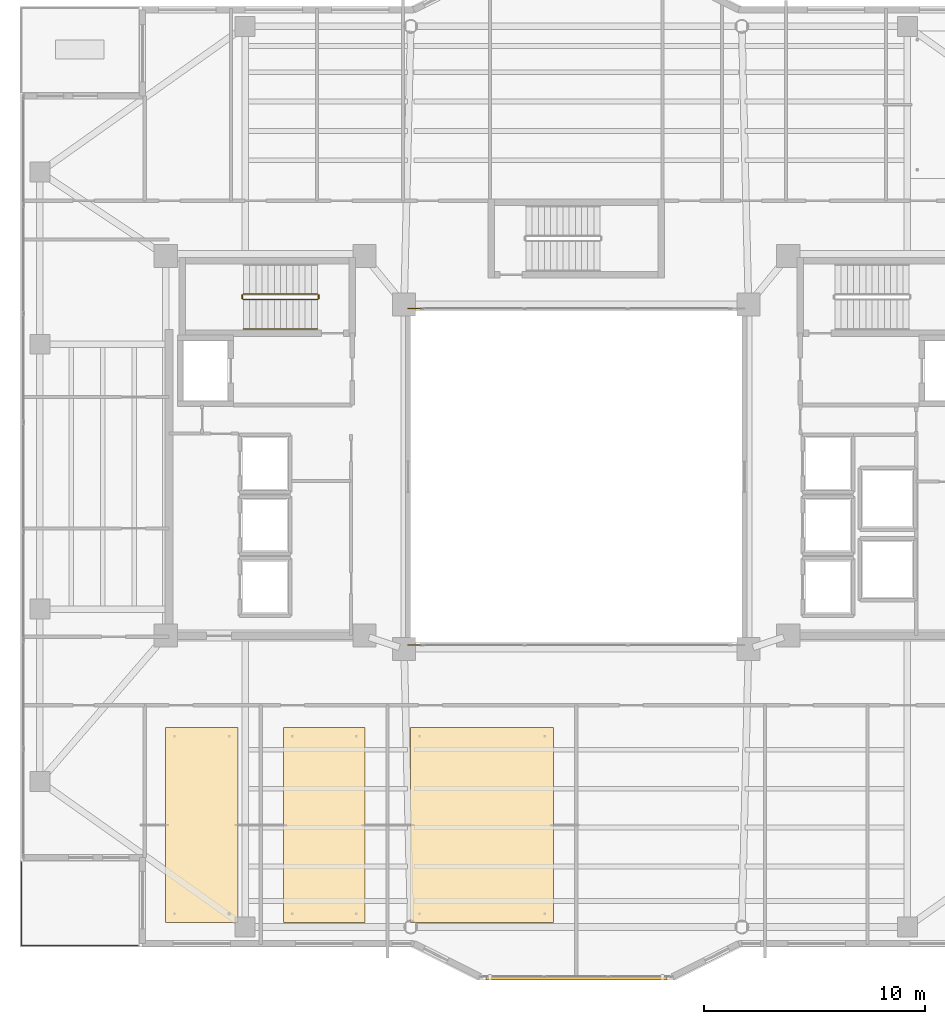
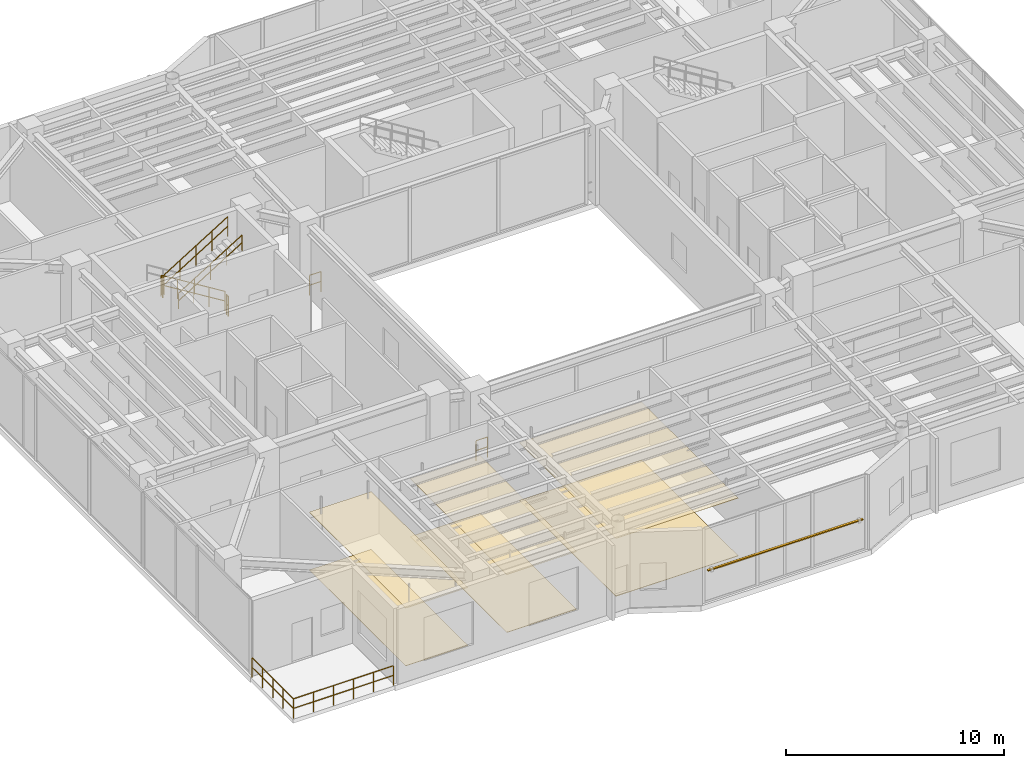
# One storey, part 30 of 33: 9 railings, 6 coverings, 1 shading device.
"""IFC4 building model written with IfcOpenShell, lengths in metres."""

from ifc_helpers import new_model, si_unit, direction, frame, origin, origin_2d, place, context, subcontext, project, spatial, polyline, rectangle, circle, outline, extrude, material, layer, layer_set, material_profile, profile_set, type_object, element, save


model = new_model("IFC4")

# Units and contexts
model_context = context("Model", 3, precision=1e-05, world=origin(), true_north=direction((0.0, 1.0)))
body_context = subcontext(model_context, "Body", "Model", "MODEL_VIEW")
ifc_project = project(units=[si_unit("LENGTHUNIT", "METRE"), si_unit("AREAUNIT", "SQUARE_METRE"), si_unit("VOLUMEUNIT", "CUBIC_METRE"), si_unit("PLANEANGLEUNIT", "RADIAN"), si_unit("MASSUNIT", "GRAM", prefix="KILO")], contexts=[model_context])

# Site, building, storey
site_placement = place(None, origin())
site = spatial("IfcSite", under=ifc_project, at=site_placement, CompositionType="ELEMENT")
building_placement = place(site_placement, origin())
building = spatial("IfcBuilding", under=site, at=building_placement, Name="Tarnavaz Court Tower", CompositionType="ELEMENT")
storey_placement = place(building_placement, frame((0.0, 0.0, 177.300048828125)))
storey = spatial("IfcBuildingStorey", under=building, at=storey_placement, Name="L48", CompositionType="ELEMENT", Elevation=177.300048828125)

# Coverings
ifc_material_1 = material(Name="Perforated Gypsum Acoustic Ceiling Tile", Category="masonry")
ifc_layer_1 = layer(ifc_material_1, 0.02490234375)
ifc_layer_set_1 = layer_set([ifc_layer_1], Name="Perforated Gypsum Acoustic Ceiling Tile")
covering_type_1 = type_object("IfcCoveringType", Name="CV-CEIL-AC", PredefinedType="CEILING", material=ifc_layer_set_1)
covering_1_placement = place(storey_placement, frame((0.0, 0.0, 3.22998046875)))
element("IfcCovering", 1, at=covering_1_placement, inside=storey, type_object=covering_type_1, Name="L48 Children Playroom Studio Suspended Acoustic Ceiling", PredefinedType="CEILING", context=body_context, shape_type="SweptSolid", body=[
    extrude(outline(polyline([(-18.60009765625, -20.199951171875), (-15.323974609375, -20.199951171875), (-15.323974609375, -11.360107421875), (-18.60009765625, -11.360107421875), (-18.60009765625, -20.199951171875)])), origin(), (0.0, 0.0, 1.0), 0.02490234375),
])
covering_2_placement = place(storey_placement, frame((0.0, 0.0, 3.22998046875)))
element("IfcCovering", 2, at=covering_2_placement, inside=storey, type_object=covering_type_1, Name="L48 L48 South-West Study Room Suspended Acoustic Ceiling", PredefinedType="CEILING", context=body_context, shape_type="SweptSolid", body=[
    extrude(outline(polyline([(-13.263916015625, -20.199951171875), (-9.570068359375, -20.199951171875), (-9.570068359375, -11.360107421875), (-13.263916015625, -11.360107421875), (-13.263916015625, -20.199951171875)])), origin(), (0.0, 0.0, 1.0), 0.02490234375),
])
covering_3_placement = place(storey_placement, frame((0.0, 0.0, 3.22998046875)))
element("IfcCovering", 3, at=covering_3_placement, inside=storey, type_object=covering_type_1, Name="L48 L48 South-West Cultural Classroom Suspended Acoustic Ceiling", PredefinedType="CEILING", context=body_context, shape_type="SweptSolid", body=[
    extrude(outline(polyline([(-7.5, -20.199951171875), (-1.030029296875, -20.199951171875), (-1.030029296875, -11.360107421875), (-7.5, -11.360107421875), (-7.5, -20.199951171875)])), origin(), (0.0, 0.0, 1.0), 0.02490234375),
])
ifc_material_2 = material(Name="Glazed Khorasan Porcelain Floor Tile", Category="masonry")
ifc_layer_2 = layer(ifc_material_2, 0.02001953125)
ifc_layer_set_2 = layer_set([ifc_layer_2], Name="Glazed Khorasan Porcelain Floor Tile")
covering_type_2 = type_object("IfcCoveringType", Name="CV-FLR-PORC", PredefinedType="FLOORING", material=ifc_layer_set_2)
covering_4_placement = place(storey_placement, origin())
element("IfcCovering", 4, at=covering_4_placement, inside=storey, type_object=covering_type_2, Name="L48 Children Playroom Studio Porcelain Floor Finish", PredefinedType="FLOORING", context=body_context, shape_type="SweptSolid", body=[
    extrude(outline(polyline([(-18.60009765625, -20.199951171875), (-15.323974609375, -20.199951171875), (-15.323974609375, -11.360107421875), (-18.60009765625, -11.360107421875), (-18.60009765625, -20.199951171875)])), origin(), (0.0, 0.0, 1.0), 0.02001953125),
])
covering_5_placement = place(storey_placement, origin())
element("IfcCovering", 5, at=covering_5_placement, inside=storey, type_object=covering_type_2, Name="L48 L48 South-West Study Room Porcelain Floor Finish", PredefinedType="FLOORING", context=body_context, shape_type="SweptSolid", body=[
    extrude(outline(polyline([(-13.263916015625, -20.199951171875), (-9.570068359375, -20.199951171875), (-9.570068359375, -11.360107421875), (-13.263916015625, -11.360107421875), (-13.263916015625, -20.199951171875)])), origin(), (0.0, 0.0, 1.0), 0.02001953125),
])
covering_6_placement = place(storey_placement, origin())
element("IfcCovering", 6, at=covering_6_placement, inside=storey, type_object=covering_type_2, Name="L48 L48 South-West Cultural Classroom Porcelain Floor Finish", PredefinedType="FLOORING", context=body_context, shape_type="SweptSolid", body=[
    extrude(outline(polyline([(-7.5, -20.199951171875), (-1.030029296875, -20.199951171875), (-1.030029296875, -11.360107421875), (-7.5, -11.360107421875), (-7.5, -20.199951171875)])), origin(), (0.0, 0.0, 1.0), 0.02001953125),
])

# Railings
ifc_material_3 = material(Name="Anodised Aluminium 6063-T6 and Laminated Safety Glass", Category="aluminium")
railing_type_1 = type_object("IfcRailingType", Name="RL-BAL-1120", PredefinedType="BALUSTRADE", material=ifc_material_3)
railing_1_placement = place(storey_placement, frame((-7.6201171875, -7.6201171875, 0.0)))
element("IfcRailing", 7, at=railing_1_placement, inside=storey, type_object=railing_type_1, Name="L48 Courtyard Corner Balustrade S-A", PredefinedType="BALUSTRADE", context=body_context, shape_type="SweptSolid", body=[
    extrude(circle(Radius=0.02392578125, at=origin_2d()), frame((0.0, 0.0, 1.1259765625), z_axis=(1.0, 0.0, 0.0), x_axis=(0.0, 1.0, 0.0)), (0.0, 0.0, 1.0), 0.60009765625),
    extrude(circle(Radius=0.02392578125, at=origin_2d()), frame((0.0, 0.0, 0.574951171875), z_axis=(1.0, 0.0, 0.0), x_axis=(0.0, 1.0, 0.0)), (0.0, 0.0, 1.0), 0.60009765625),
    extrude(circle(Radius=0.02099609375, at=origin_2d()), origin(), (0.0, 0.0, 1.0), 1.101806640625),
    extrude(circle(Radius=0.02099609375, at=origin_2d()), frame((0.60009765625, 0.0, 0.0)), (0.0, 0.0, 1.0), 1.101806640625),
])
railing_2_placement = place(storey_placement, frame((-7.02001953125, 7.6201171875, 0.0)))
element("IfcRailing", 8, at=railing_2_placement, inside=storey, type_object=railing_type_1, Name="L48 Courtyard Corner Balustrade N-B", PredefinedType="BALUSTRADE", context=body_context, shape_type="SweptSolid", body=[
    extrude(circle(Radius=0.02392578125, at=origin_2d()), frame((0.0, 0.0, 1.1259765625), z_axis=(-1.0, 0.0, 0.0), x_axis=(0.0, -1.0, 0.0)), (0.0, 0.0, 1.0), 0.60009765625),
    extrude(circle(Radius=0.02392578125, at=origin_2d()), frame((0.0, 0.0, 0.574951171875), z_axis=(-1.0, 0.0, 0.0), x_axis=(0.0, -1.0, 0.0)), (0.0, 0.0, 1.0), 0.60009765625),
    extrude(circle(Radius=0.02099609375, at=origin_2d()), origin(), (0.0, 0.0, 1.0), 1.101806640625),
    extrude(circle(Radius=0.02099609375, at=origin_2d()), frame((-0.60009765625, 0.0, 0.0)), (0.0, 0.0, 1.0), 1.101806640625),
])
railing_3_placement = place(storey_placement, frame((-25.139892578125, -21.239990234375, 0.0)))
element("IfcRailing", 9, at=railing_3_placement, inside=storey, type_object=railing_type_1, Name="L48 Terrace 4 S Perimeter Balustrade", PredefinedType="BALUSTRADE", context=body_context, shape_type="SweptSolid", body=[
    extrude(circle(Radius=0.02392578125, at=origin_2d()), frame((0.0, 0.0, 1.09619140625), z_axis=(1.0, 0.0, 0.0), x_axis=(0.0, 1.0, 0.0)), (0.0, 0.0, 1.0), 5.27978515625),
    extrude(circle(Radius=0.02392578125, at=origin_2d()), frame((0.0, 0.0, 0.56005859375), z_axis=(1.0, 0.0, 0.0), x_axis=(0.0, 1.0, 0.0)), (0.0, 0.0, 1.0), 5.27978515625),
    extrude(circle(Radius=0.02099609375, at=origin_2d()), origin(), (0.0, 0.0, 1.0), 1.072021484375),
    extrude(circle(Radius=0.02099609375, at=origin_2d()), frame((1.055908203125, 0.0, 0.0)), (0.0, 0.0, 1.0), 1.072021484375),
    extrude(circle(Radius=0.02099609375, at=origin_2d()), frame((2.11181640625, 0.0, 0.0)), (0.0, 0.0, 1.0), 1.072021484375),
    extrude(circle(Radius=0.02099609375, at=origin_2d()), frame((3.16796875, 0.0, 0.0)), (0.0, 0.0, 1.0), 1.072021484375),
    extrude(circle(Radius=0.02099609375, at=origin_2d()), frame((4.223876953125, 0.0, 0.0)), (0.0, 0.0, 1.0), 1.072021484375),
    extrude(circle(Radius=0.02099609375, at=origin_2d()), frame((5.27978515625, 0.0, 0.0)), (0.0, 0.0, 1.0), 1.072021484375),
])
railing_4_placement = place(storey_placement, frame((-25.139892578125, -17.4599609375, 0.0)))
element("IfcRailing", 10, at=railing_4_placement, inside=storey, type_object=railing_type_1, Name="L48 Terrace 4 W Perimeter Balustrade", PredefinedType="BALUSTRADE", context=body_context, shape_type="SweptSolid", body=[
    extrude(circle(Radius=0.02392578125, at=origin_2d()), frame((0.0, 0.0, 1.09619140625), z_axis=(0.0, -1.0, 0.0), x_axis=(1.0, 0.0, 0.0)), (0.0, 0.0, 1.0), 3.780029296875),
    extrude(circle(Radius=0.02392578125, at=origin_2d()), frame((0.0, 0.0, 0.56005859375), z_axis=(0.0, -1.0, 0.0), x_axis=(1.0, 0.0, 0.0)), (0.0, 0.0, 1.0), 3.780029296875),
    extrude(circle(Radius=0.02099609375, at=origin_2d()), origin(), (0.0, 0.0, 1.0), 1.072021484375),
    extrude(circle(Radius=0.02099609375, at=origin_2d()), frame((0.0, -0.945068359375, 0.0)), (0.0, 0.0, 1.0), 1.072021484375),
    extrude(circle(Radius=0.02099609375, at=origin_2d()), frame((0.0, -1.89013671875, 0.0)), (0.0, 0.0, 1.0), 1.072021484375),
    extrude(circle(Radius=0.02099609375, at=origin_2d()), frame((0.0, -2.8349609375, 0.0)), (0.0, 0.0, 1.0), 1.072021484375),
    extrude(circle(Radius=0.02099609375, at=origin_2d()), frame((0.0, -3.780029296875, 0.0)), (0.0, 0.0, 1.0), 1.072021484375),
])
ifc_material_4 = material(Name="Brushed Stainless Steel", Category="steel")
railing_type_2 = type_object("IfcRailingType", Name="RL-HANDRAIL-900", PredefinedType="HANDRAIL", material=ifc_material_4)
railing_5_placement = place(storey_placement, frame((-15.080078125, 6.699951171875, 2.423095703125)))
element("IfcRailing", 11, at=railing_5_placement, inside=storey, type_object=railing_type_2, Name="L48 ST-W1 stair handrail 2", PredefinedType="HANDRAIL", context=body_context, shape_type="SweptSolid", body=[
    extrude(circle(Radius=0.02392578125, at=origin_2d()), frame((0.0, 0.0, 0.8759765625), z_axis=(0.850623216509, 0.0, 0.525775754039), x_axis=(0.0, 1.0, 0.0)), (0.0, 0.0, 1.0), 3.9501953125),
    extrude(circle(Radius=0.02392578125, at=origin_2d()), frame((0.0, 0.0, 0.449951171875), z_axis=(0.850623216509, 0.0, 0.525775754039), x_axis=(0.0, 1.0, 0.0)), (0.0, 0.0, 1.0), 3.9501953125),
    extrude(circle(Radius=0.02099609375, at=origin_2d()), origin(), (0.0, 0.0, 1.0), 0.851806640625),
    extrude(circle(Radius=0.02099609375, at=origin_2d()), frame((0.840087890625, 0.0, 0.519287109375)), (0.0, 0.0, 1.0), 0.851806640625),
    extrude(circle(Radius=0.02099609375, at=origin_2d()), frame((1.68017578125, 0.0, 1.03857421875)), (0.0, 0.0, 1.0), 0.851806640625),
    extrude(circle(Radius=0.02099609375, at=origin_2d()), frame((2.52001953125, 0.0, 1.5576171875)), (0.0, 0.0, 1.0), 0.851806640625),
    extrude(circle(Radius=0.02099609375, at=origin_2d()), frame((3.360107421875, 0.0, 2.076904296875)), (0.0, 0.0, 1.0), 0.851806640625),
])
ifc_material_5 = material(Name="Galvanized Painted Tubular Steel", Category="steel")
railing_type_3 = type_object("IfcRailingType", Name="RL-STGUARD-1120", PredefinedType="GUARDRAIL", material=ifc_material_5)
railing_6_placement = place(storey_placement, frame((-11.719970703125, 8.27001953125, 0.173095703125)))
element("IfcRailing", 12, at=railing_6_placement, inside=storey, type_object=railing_type_3, Name="L48 ST-W1 stair guard 1", PredefinedType="GUARDRAIL", context=body_context, shape_type="SweptSolid", body=[
    extrude(circle(Radius=0.02392578125, at=origin_2d()), frame((0.0, 0.0, 1.09619140625), z_axis=(-0.850623216509, 0.0, 0.525775754039), x_axis=(0.0, -1.0, 0.0)), (0.0, 0.0, 1.0), 3.9501953125),
    extrude(circle(Radius=0.02392578125, at=origin_2d()), frame((0.0, 0.0, 0.56005859375), z_axis=(-0.850623216509, 0.0, 0.525775754039), x_axis=(0.0, -1.0, 0.0)), (0.0, 0.0, 1.0), 3.9501953125),
    extrude(circle(Radius=0.02099609375, at=origin_2d()), origin(), (0.0, 0.0, 1.0), 1.072021484375),
    extrude(circle(Radius=0.02099609375, at=origin_2d()), frame((-0.840087890625, 0.0, 0.519287109375)), (0.0, 0.0, 1.0), 1.072021484375),
    extrude(circle(Radius=0.02099609375, at=origin_2d()), frame((-1.68017578125, 0.0, 1.03857421875)), (0.0, 0.0, 1.0), 1.072021484375),
    extrude(circle(Radius=0.02099609375, at=origin_2d()), frame((-2.52001953125, 0.0, 1.5576171875)), (0.0, 0.0, 1.0), 1.072021484375),
    extrude(circle(Radius=0.02099609375, at=origin_2d()), frame((-3.360107421875, 0.0, 2.076904296875)), (0.0, 0.0, 1.0), 1.072021484375),
])
railing_7_placement = place(storey_placement, frame((-15.1298828125, 8.219970703125, 2.25)))
element("IfcRailing", 13, at=railing_7_placement, inside=storey, type_object=railing_type_3, Name="L48 ST-W1 stair guard 2", PredefinedType="GUARDRAIL", context=body_context, shape_type="SweptSolid", body=[
    extrude(circle(Radius=0.02392578125, at=origin_2d()), frame((0.0, 0.0, 1.09619140625), z_axis=(0.0, -1.0, 0.0), x_axis=(1.0, 0.0, 0.0)), (0.0, 0.0, 1.0), 0.14990234375),
    extrude(circle(Radius=0.02392578125, at=origin_2d()), frame((0.0, 0.0, 0.56005859375), z_axis=(0.0, -1.0, 0.0), x_axis=(1.0, 0.0, 0.0)), (0.0, 0.0, 1.0), 0.14990234375),
    extrude(circle(Radius=0.02099609375, at=origin_2d()), origin(), (0.0, 0.0, 1.0), 1.072021484375),
    extrude(circle(Radius=0.02099609375, at=origin_2d()), frame((0.0, -0.14990234375, 0.0)), (0.0, 0.0, 1.0), 1.072021484375),
])
railing_8_placement = place(storey_placement, frame((-15.080078125, 8.02001953125, 2.423095703125)))
element("IfcRailing", 14, at=railing_8_placement, inside=storey, type_object=railing_type_3, Name="L48 ST-W1 stair guard 3", PredefinedType="GUARDRAIL", context=body_context, shape_type="SweptSolid", body=[
    extrude(circle(Radius=0.02392578125, at=origin_2d()), frame((0.0, 0.0, 1.09619140625), z_axis=(0.850623216509, 0.0, 0.525775754039), x_axis=(0.0, 1.0, 0.0)), (0.0, 0.0, 1.0), 3.9501953125),
    extrude(circle(Radius=0.02392578125, at=origin_2d()), frame((0.0, 0.0, 0.56005859375), z_axis=(0.850623216509, 0.0, 0.525775754039), x_axis=(0.0, 1.0, 0.0)), (0.0, 0.0, 1.0), 3.9501953125),
    extrude(circle(Radius=0.02099609375, at=origin_2d()), origin(), (0.0, 0.0, 1.0), 1.072021484375),
    extrude(circle(Radius=0.02099609375, at=origin_2d()), frame((0.840087890625, 0.0, 0.519287109375)), (0.0, 0.0, 1.0), 1.072021484375),
    extrude(circle(Radius=0.02099609375, at=origin_2d()), frame((1.68017578125, 0.0, 1.03857421875)), (0.0, 0.0, 1.0), 1.072021484375),
    extrude(circle(Radius=0.02099609375, at=origin_2d()), frame((2.52001953125, 0.0, 1.5576171875)), (0.0, 0.0, 1.0), 1.072021484375),
    extrude(circle(Radius=0.02099609375, at=origin_2d()), frame((3.360107421875, 0.0, 2.076904296875)), (0.0, 0.0, 1.0), 1.072021484375),
])
railing_9_placement = place(storey_placement, frame((-11.669921875, 8.219970703125, 0.0)))
element("IfcRailing", 15, at=railing_9_placement, inside=storey, type_object=railing_type_3, Name="L48 ST-W1 stair guard 4", PredefinedType="GUARDRAIL", context=body_context, shape_type="SweptSolid", body=[
    extrude(circle(Radius=0.02392578125, at=origin_2d()), frame((0.0, 0.0, 1.09619140625), z_axis=(0.0, -1.0, 0.0), x_axis=(1.0, 0.0, 0.0)), (0.0, 0.0, 1.0), 0.14990234375),
    extrude(circle(Radius=0.02392578125, at=origin_2d()), frame((0.0, 0.0, 0.56005859375), z_axis=(0.0, -1.0, 0.0), x_axis=(1.0, 0.0, 0.0)), (0.0, 0.0, 1.0), 0.14990234375),
    extrude(circle(Radius=0.02099609375, at=origin_2d()), origin(), (0.0, 0.0, 1.0), 1.072021484375),
    extrude(circle(Radius=0.02099609375, at=origin_2d()), frame((0.0, -0.14990234375, 0.0)), (0.0, 0.0, 1.0), 1.072021484375),
])

# Shading device
ifc_material_6 = material(Name="Kiln-Fired Khorasan Terracotta Ceramic", Category="masonry")
ifc_material_profile = material_profile(ifc_material_6, rectangle(XDim=0.1201171875, YDim=0.06005859375, at=origin_2d()), Name="TC BAGUETTE 120X60")
ifc_profile_set = profile_set([ifc_material_profile], Name="Kiln-Fired Khorasan Terracotta Ceramic")
shading_device_type = type_object("IfcShadingDeviceType", Name="SD-BAG-120", PredefinedType="USERDEFINED", material=ifc_profile_set)
shading_device_placement = place(storey_placement, frame((4.10009765625, -22.7099609375, 1.800048828125), z_axis=(-1.0, 0.0, 0.0), x_axis=(0.0, -1.0, 0.0)))
element("IfcShadingDevice", 16, at=shading_device_placement, inside=storey, type_object=shading_device_type, Name="L48 Terracotta Baguette Screen PBG17", ObjectType="BAGUETTE", PredefinedType="USERDEFINED", context=body_context, shape_type="SweptSolid", body=[
    extrude(rectangle(XDim=0.1201171875, YDim=0.06005859375, at=origin_2d()), origin(), (0.0, 0.0, 1.0), 8.2001953125),
])

save(model, "model.ifc")
